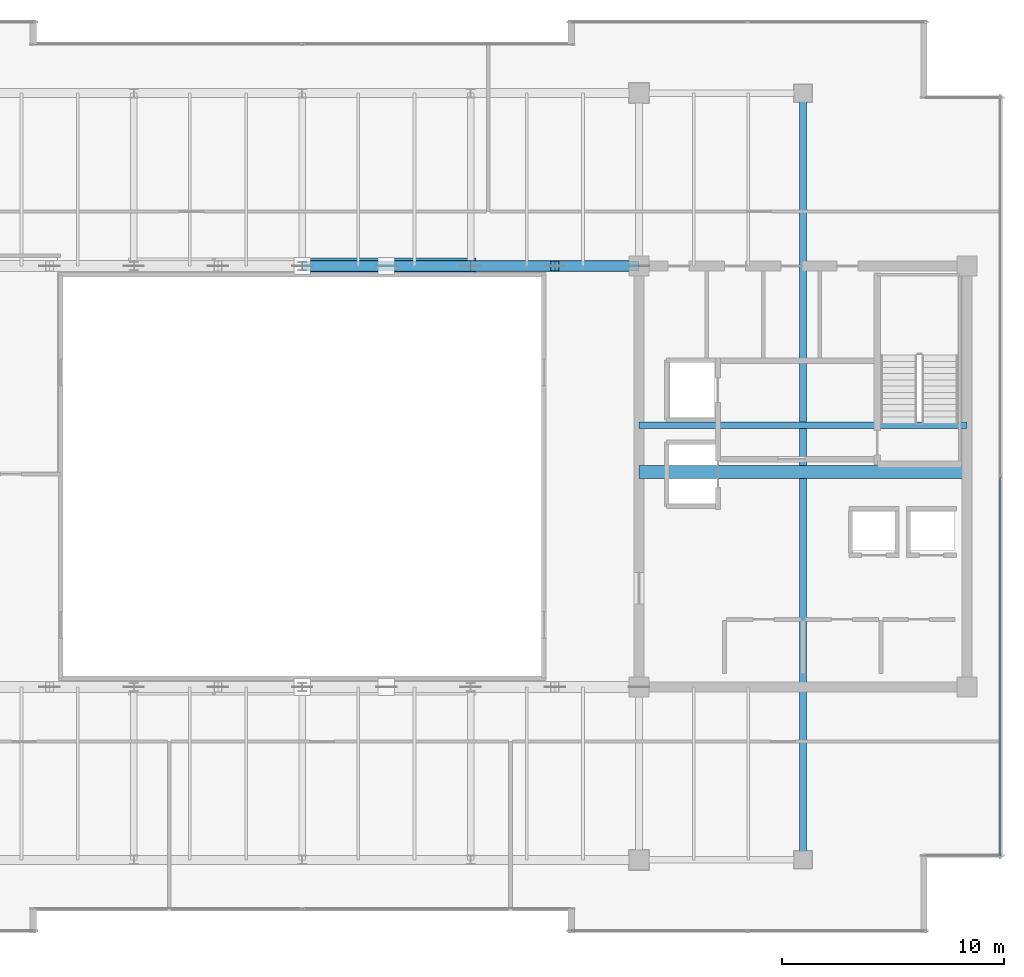
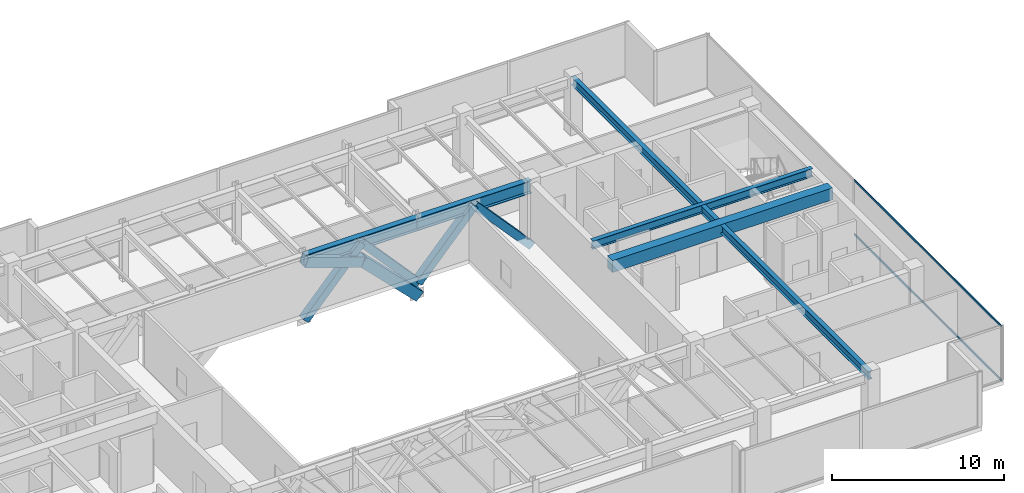
# One storey, part 15 of 32: 8 members, 5 beams, 1 element without a shape of its own.
"""IFC4 building model written with IfcOpenShell, lengths in metres."""

from ifc_helpers import new_model, si_unit, direction, frame, origin, origin_2d, place, context, subcontext, project, spatial, rectangle, hollow_rectangle, i_section, extrude, source, transform, mapped, material, layer, layer_set, material_profile, profile_set, type_object, type_shapes, element, aggregate, save


model = new_model("IFC4")

# Units and contexts
model_context = context("Model", 3, precision=1e-05, world=origin(), true_north=direction((0.0, 1.0)))
body_context = subcontext(model_context, "Body", "Model", "MODEL_VIEW")
ifc_project = project(units=[si_unit("LENGTHUNIT", "METRE"), si_unit("AREAUNIT", "SQUARE_METRE"), si_unit("VOLUMEUNIT", "CUBIC_METRE"), si_unit("PLANEANGLEUNIT", "RADIAN"), si_unit("MASSUNIT", "GRAM", prefix="KILO")], contexts=[model_context])

# Site, building, storey
site_placement = place(None, origin())
site = spatial("IfcSite", under=ifc_project, at=site_placement, CompositionType="ELEMENT")
building_placement = place(site_placement, origin())
building = spatial("IfcBuilding", under=site, at=building_placement, Name="Haelvirn Gate Laboratories", CompositionType="ELEMENT")
storey_placement = place(building_placement, frame((0.0, 0.0, 314.39990234375)))
storey = spatial("IfcBuildingStorey", under=building, at=storey_placement, Name="L75", CompositionType="ELEMENT", Elevation=314.39990234375)

# Beams
ifc_material_1 = material(Name="Steel SM355", Category="steel")
ifc_material_profile_1 = material_profile(ifc_material_1, i_section(OverallWidth=0.300048828125, OverallDepth=0.587890625, WebThickness=0.011962890625, FlangeThickness=0.02001953125, at=origin_2d()), Name="H-588x300x12x20")
ifc_profile_set_1 = profile_set([ifc_material_profile_1], Name="Steel SM355")
beam_type_1 = type_object("IfcBeamType", Name="BM-G-588", PredefinedType="BEAM", material=ifc_profile_set_1)
shared_shape_1 = source(origin(), body_context, "Body", "SweptSolid", [
    extrude(i_section(OverallWidth=0.300048828125, OverallDepth=0.587890625, WebThickness=0.011962890625, FlangeThickness=0.02001953125, at=origin_2d()), origin(), (0.0, 0.0, 1.0), 14.7998046875),
])
beam_1_placement = place(storey_placement, frame((52.60009765625, 26.6201171875, 3.606201171875), z_axis=(1.0, 0.0, 0.0), x_axis=(0.0, 1.0, 0.0)))
element("IfcBeam", 1, at=beam_1_placement, inside=storey, type_object=beam_type_1, Name="L75 Stair ST2 Landing Header", PredefinedType="BEAM", context=body_context, shape_type="MappedRepresentation", body=[
    mapped(shared_shape_1, transform((0.0, 0.0, 0.0), scale=1.0)),
])
ifc_material_2 = material(Name="Steel SM420", Category="steel")
ifc_material_profile_2 = material_profile(ifc_material_2, i_section(OverallWidth=0.39990234375, OverallDepth=0.89990234375, WebThickness=0.01904296875, FlangeThickness=0.031982421875, at=origin_2d()), Name="H-900x400x19x32")
ifc_profile_set_2 = profile_set([ifc_material_profile_2], Name="Steel SM420")
beam_type_2 = type_object("IfcBeamType", Name="BM-TG-900", PredefinedType="BEAM", material=ifc_profile_set_2)
shared_shape_2 = source(origin(), body_context, "Body", "SweptSolid", [
    extrude(i_section(OverallWidth=0.39990234375, OverallDepth=0.89990234375, WebThickness=0.01904296875, FlangeThickness=0.031982421875, at=origin_2d()), origin(), (0.0, 0.0, 1.0), 7.60009765625),
])
type_shapes(beam_type_2, [shared_shape_2])
for number, where, z_axis, x_axis, name in (
    (2, (37.39990234375, 33.800048828125, 3.4501953125), (1.0, 0.0, 0.0), (0.0, 1.0, 0.0), "L75 Primary Girder Y33.8 (37.4-45.0)"),
    (3, (45.0, 33.800048828125, 3.4501953125), (1.0, 0.0, 0.0), (0.0, 1.0, 0.0), "L75 Primary Girder Y33.8 (45.0-52.6)"),
):
    element("IfcBeam", number, at=place(storey_placement, frame(where, z_axis=z_axis, x_axis=x_axis)), inside=storey, type_object=beam_type_2, Name=name, PredefinedType="BEAM", context=body_context, shape_type="MappedRepresentation", body=[
        mapped(shared_shape_2, transform((0.0, 0.0, 0.0), scale=1.0)),
    ])
shared_shape_3 = source(origin(), body_context, "Body", "SweptSolid", [
    extrude(i_section(OverallWidth=0.300048828125, OverallDepth=0.587890625, WebThickness=0.011962890625, FlangeThickness=0.02001953125, at=origin_2d()), origin(), (0.0, 0.0, 1.0), 34.60009765625),
])
type_shapes(beam_type_1, [shared_shape_1, shared_shape_3])
beam_2_placement = place(storey_placement, frame((60.0, 7.0, 3.606201171875), z_axis=(0.0, 1.0, 0.0), x_axis=(-1.0, 0.0, 0.0)))
element("IfcBeam", 4, at=beam_2_placement, inside=storey, type_object=beam_type_1, Name="L75 Frame Girder X60.0 (7.0-41.6)", PredefinedType="BEAM", context=body_context, shape_type="MappedRepresentation", body=[
    mapped(shared_shape_3, transform((0.0, 0.0, 0.0), scale=1.0)),
])
ifc_material_3 = material(Name="Concrete C50/60", Category="concrete")
ifc_material_profile_3 = material_profile(ifc_material_3, rectangle(XDim=0.60009765625, YDim=0.85009765625, at=origin_2d()), Name="RCB-600x850")
ifc_profile_set_3 = profile_set([ifc_material_profile_3], Name="Concrete C50/60")
beam_type_3 = type_object("IfcBeamType", Name="BM-RCB-850", PredefinedType="LINTEL", material=ifc_profile_set_3)
shared_shape_4 = source(origin(), body_context, "Body", "SweptSolid", [
    extrude(rectangle(XDim=0.60009765625, YDim=0.85009765625, at=origin_2d()), origin(), (0.0, 0.0, 1.0), 14.7998046875),
])
type_shapes(beam_type_3, [shared_shape_4])
beam_3_placement = place(storey_placement, frame((52.60009765625, 24.5, 3.47509765625), z_axis=(1.0, 0.0, 0.0), x_axis=(0.0, 1.0, 0.0)))
element("IfcBeam", 5, at=beam_3_placement, inside=storey, type_object=beam_type_3, Name="L75 East Core Coupling Beam", PredefinedType="LINTEL", context=body_context, shape_type="MappedRepresentation", body=[
    mapped(shared_shape_4, transform((0.0, 0.0, 0.0), scale=1.0)),
])

# Members
ifc_material_profile_4 = material_profile(ifc_material_2, hollow_rectangle(XDim=0.699951171875, YDim=0.699951171875, WallThickness=0.031982421875, at=origin_2d()), Name="BOX-700x700x32")
ifc_profile_set_4 = profile_set([ifc_material_profile_4], Name="Steel SM420")
member_type_1 = type_object("IfcMemberType", Name="MEM-ARCH-RIB", PredefinedType="CHORD", material=ifc_profile_set_4)
shared_shape_5 = source(origin(), body_context, "Body", "SweptSolid", [
    extrude(hollow_rectangle(XDim=0.699951171875, YDim=0.699951171875, WallThickness=0.031982421875, at=origin_2d()), origin(), (0.0, 0.0, 1.0), 5.371826171875),
])
member_1_placement = place(storey_placement, frame((41.199951171875, 33.800048828125, 2.1845703125), z_axis=(0.707402133154, 0.0, -0.706811305802), x_axis=(0.0, 1.0, 0.0)))
element("IfcMember", 6, at=member_1_placement, inside=storey, type_object=member_type_1, Name="Parabolic Steel Arch Rib Y33.8 Seg 6", PredefinedType="CHORD", context=body_context, shape_type="MappedRepresentation", body=[
    mapped(shared_shape_5, transform((0.0, 0.0, 0.0), scale=1.0)),
])
shared_shape_6 = source(origin(), body_context, "Body", "SweptSolid", [
    extrude(hollow_rectangle(XDim=0.699951171875, YDim=0.699951171875, WallThickness=0.031982421875, at=origin_2d()), origin(), (0.0, 0.0, 1.0), 4.00537109375),
])
type_shapes(member_type_1, [shared_shape_5, shared_shape_6])
member_2_placement = place(storey_placement, frame((37.39990234375, 33.800048828125, 3.4501953125), z_axis=(0.948762509593, 0.0, -0.315990032106), x_axis=(0.0, 1.0, 0.0)))
element("IfcMember", 7, at=member_2_placement, inside=storey, type_object=member_type_1, Name="Parabolic Steel Arch Rib Y33.8 Seg 5", PredefinedType="CHORD", context=body_context, shape_type="MappedRepresentation", body=[
    mapped(shared_shape_6, transform((0.0, 0.0, 0.0), scale=1.0)),
])
ifc_material_profile_5 = material_profile(ifc_material_2, hollow_rectangle(XDim=0.5, YDim=0.5, WallThickness=0.02197265625, at=origin_2d()), Name="BOX-500x500x22")
ifc_profile_set_5 = profile_set([ifc_material_profile_5], Name="Steel SM420")
member_type_2 = type_object("IfcMemberType", Name="MEM-ARCH-WEB", PredefinedType="BRACE", material=ifc_profile_set_5)
shared_shape_7 = source(origin(), body_context, "Body", "SweptSolid", [
    extrude(hollow_rectangle(XDim=0.5, YDim=0.5, WallThickness=0.02197265625, at=origin_2d()), origin(), (0.0, 0.0, 1.0), 5.6640625),
])
type_shapes(member_type_2, [shared_shape_7])
for number, where, z_axis, x_axis, name in (
    (8, (37.39990234375, 33.800048828125, -0.75), (0.670900908871, 0.0, 0.741547011643), (0.0, 1.0, 0.0), "L75 Arch Truss Chevron Web Y33.8-3A"),
    (9, (41.199951171875, 33.800048828125, 3.4501953125), (0.670900908871, 0.0, -0.741547011643), (0.0, 1.0, 0.0), "L75 Arch Truss Chevron Web Y33.8-3B"),
    (10, (45.0, 33.800048828125, -0.75), (0.670900908871, 0.0, 0.741547011643), (0.0, 1.0, 0.0), "L75 Arch Truss Chevron Web Y33.8-4A"),
    (11, (48.800048828125, 33.800048828125, 3.4501953125), (0.670900908871, 0.0, -0.741547011643), (0.0, 1.0, 0.0), "L75 Arch Truss Chevron Web Y33.8-4B"),
):
    element("IfcMember", number, at=place(storey_placement, frame(where, z_axis=z_axis, x_axis=x_axis)), inside=storey, type_object=member_type_2, Name=name, PredefinedType="BRACE", context=body_context, shape_type="MappedRepresentation", body=[
        mapped(shared_shape_7, transform((0.0, 0.0, 0.0), scale=1.0)),
    ])

# Curtain wall, members
ifc_material_4 = material(Name="Anodised bronze unitised aluminium & triple low-E glass", Category="aluminium")
ifc_layer = layer(ifc_material_4, 0.176025390625, Name="CW-SYS-4")
ifc_layer_set = layer_set([ifc_layer], Name="Anodised bronze unitised aluminium & triple low-E glass")
curtain_wall_type = type_object("IfcCurtainWallType", Name="CW-SYS-4", PredefinedType="NOTDEFINED", material=ifc_layer_set)
curtain_wall_placement = place(storey_placement, origin())
curtain_wall = element("IfcCurtainWall", 12, at=curtain_wall_placement, inside=storey, type_object=curtain_wall_type, Name="L75 Unitised Curtain Wall CW-L75-P0-E07", PredefinedType="NOTDEFINED")
ifc_material_5 = material(Name="Extruded aluminium 6063-T6 (anodised bronze)", Category="aluminium")
ifc_material_profile_6 = material_profile(ifc_material_5, hollow_rectangle(XDim=0.06494140625, YDim=0.139892578125, WallThickness=0.00390625, at=origin_2d()), Name="CWT-140x65x4")
ifc_profile_set_6 = profile_set([ifc_material_profile_6], Name="Extruded aluminium 6063-T6 (anodised bronze)")
member_type_3 = type_object("IfcMemberType", Name="CWT-T140", PredefinedType="USERDEFINED", material=ifc_profile_set_6)
shared_shape_8 = source(origin(), body_context, "Body", "SweptSolid", [
    extrude(hollow_rectangle(XDim=0.06494140625, YDim=0.139892578125, WallThickness=0.00390625, at=origin_2d()), origin(), (0.0, 0.0, 1.0), 17.094970703125),
])
type_shapes(member_type_3, [shared_shape_8])
member_3_placement = place(storey_placement, frame((68.89990234375, 7.169921875, 0.03271484375), z_axis=(0.0, 1.0, 0.0), x_axis=(-1.0, 0.0, 0.0)))
member_3 = element("IfcMember", 13, at=member_3_placement, type_object=member_type_3, Name="CW4 transom 1.1", ObjectType="TRANSOM", PredefinedType="USERDEFINED", context=body_context, shape_type="MappedRepresentation", body=[
    mapped(shared_shape_8, transform((0.0, 0.0, 0.0), scale=1.0)),
])
member_4_placement = place(storey_placement, frame((68.89990234375, 7.169921875, 3.86767578125), z_axis=(0.0, 1.0, 0.0), x_axis=(-1.0, 0.0, 0.0)))
member_4 = element("IfcMember", 14, at=member_4_placement, type_object=member_type_3, Name="CW4 transom 1.2", ObjectType="TRANSOM", PredefinedType="USERDEFINED", context=body_context, shape_type="MappedRepresentation", body=[
    mapped(shared_shape_8, transform((0.0, 0.0, 0.0), scale=1.0)),
])
aggregate(curtain_wall, [member_3, member_4])

save(model, "model.ifc")
